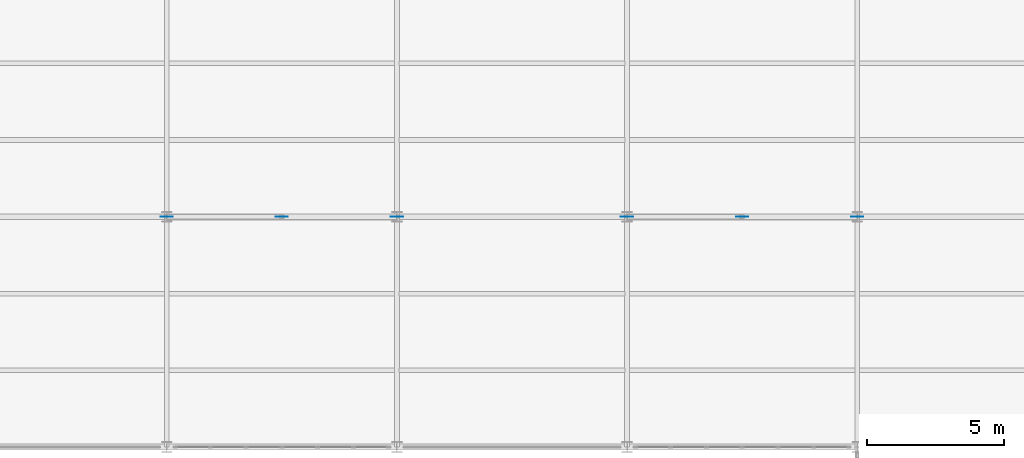
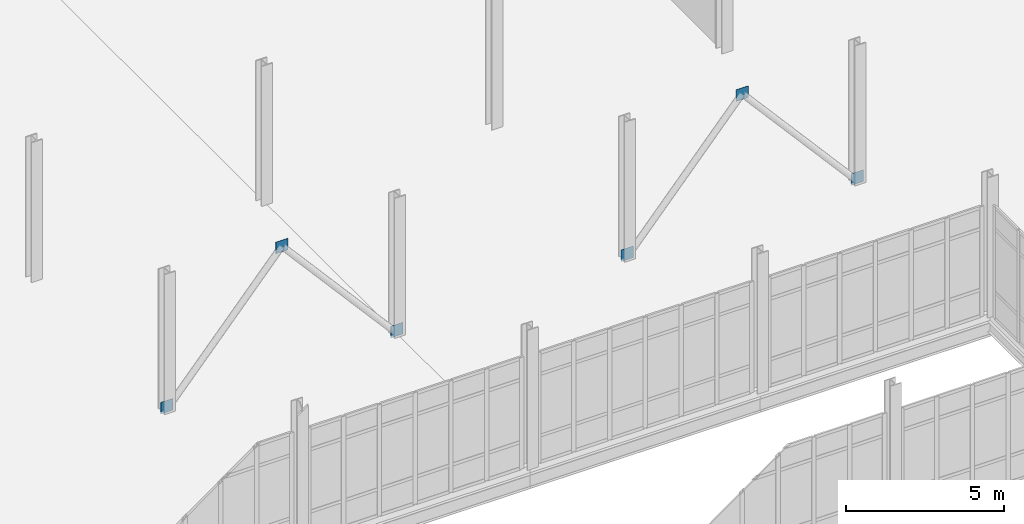
# One storey, part 94 of 111: 6 plates.
"""IFC4 building model written with IfcOpenShell, lengths in metres."""

from ifc_helpers import new_model, si_unit, direction, frame, origin, origin_2d, place, context, subcontext, project, spatial, rectangle, extrude, material, layer, layer_set, type_object, element, save


model = new_model("IFC4")

# Units and contexts
model_context = context("Model", 3, precision=1e-05, world=origin(), true_north=direction((0.0, 1.0)))
body_context = subcontext(model_context, "Body", "Model", "MODEL_VIEW")
ifc_project = project(units=[si_unit("LENGTHUNIT", "METRE"), si_unit("AREAUNIT", "SQUARE_METRE"), si_unit("VOLUMEUNIT", "CUBIC_METRE"), si_unit("PLANEANGLEUNIT", "RADIAN"), si_unit("MASSUNIT", "GRAM", prefix="KILO"), si_unit("THERMODYNAMICTEMPERATUREUNIT", "KELVIN"), si_unit("POWERUNIT", "WATT")], contexts=[model_context])

# Site, building, storey
site_placement = place(None, origin())
site = spatial("IfcSite", under=ifc_project, at=site_placement, CompositionType="ELEMENT")
building_placement = place(site_placement, origin())
building = spatial("IfcBuilding", under=site, at=building_placement, Name="Tembeka Court Mobility Hub", CompositionType="ELEMENT")
storey_placement = place(building_placement, origin())
storey = spatial("IfcBuildingStorey", under=building, at=storey_placement, Name="L00", CompositionType="ELEMENT", Elevation=0.0)

# Plates
ifc_material = material(Name="Steel S355", Category="steel")
ifc_layer = layer(ifc_material, 0.011962890625)
ifc_layer_set = layer_set([ifc_layer], Name="Steel S355")
plate_type = type_object("IfcPlateType", Name="PL-NDP02", PredefinedType="USERDEFINED", material=ifc_layer_set)
for number, where, z_axis, x_axis, name in (
    (1, (33.60009765625, 72.0, -0.0849609375), (0.0, 0.0, 1.0), (1.0, 0.0, 0.0), "Chevron brace gusset plate NDP02 (L00-1-1)"),
    (2, (42.0, 72.0, -0.0849609375), (0.0, 0.0, 1.0), (1.0, 0.0, 0.0), "Chevron brace gusset plate NDP02 (L00-1-2)"),
    (3, (37.800048828125, 72.0, 4.625), (0.0, 0.0, 1.0), (1.0, 0.0, 0.0), "Chevron brace gusset plate NDP02 (L00-1-3)"),
    (4, (50.39990234375, 72.0, -0.0849609375), (0.0, 0.0, 1.0), (1.0, 0.0, 0.0), "Chevron brace gusset plate NDP02 (L00-7-1)"),
    (5, (58.800048828125, 72.0, -0.0849609375), (0.0, 0.0, 1.0), (1.0, 0.0, 0.0), "Chevron brace gusset plate NDP02 (L00-7-2)"),
    (6, (54.60009765625, 72.0, 4.625), (0.0, 0.0, 1.0), (1.0, 0.0, 0.0), "Chevron brace gusset plate NDP02 (L00-7-3)"),
):
    element("IfcPlate", number, at=place(storey_placement, frame(where, z_axis=z_axis, x_axis=x_axis)), inside=storey, type_object=plate_type, Name=name, ObjectType="GUSSET PLATE", PredefinedType="USERDEFINED", context=body_context, shape_type="SweptSolid", body=[
        extrude(rectangle(XDim=0.449951171875, YDim=0.011962890625, at=origin_2d()), origin(), (0.0, 0.0, 1.0), 0.449951171875),
    ])

save(model, "model.ifc")
